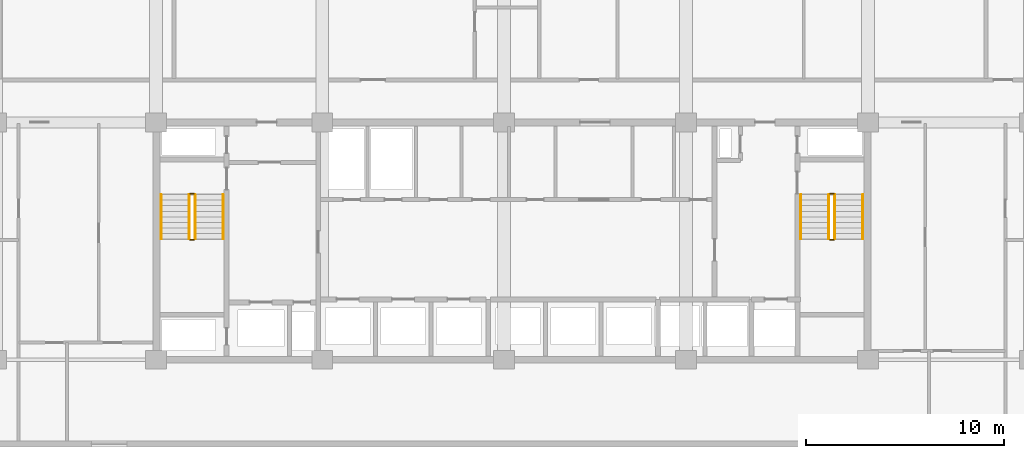
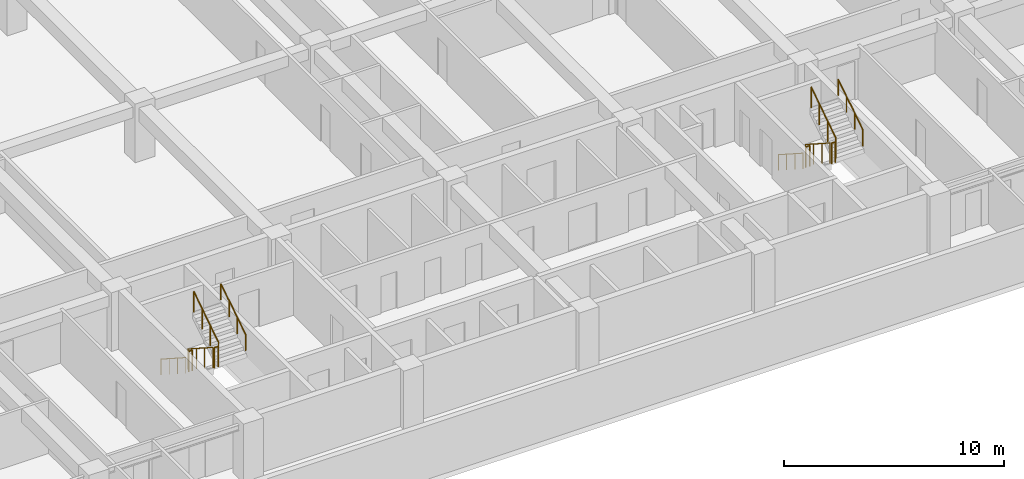
# One storey, part 22 of 23: 12 railings.
"""IFC4 building model written with IfcOpenShell, lengths in metres."""

from ifc_helpers import new_model, si_unit, direction, frame, origin, origin_2d, place, context, subcontext, project, spatial, circle, extrude, material, type_object, element, save


model = new_model("IFC4")

# Units and contexts
model_context = context("Model", 3, precision=1e-05, world=origin(), true_north=direction((0.0, 1.0)))
body_context = subcontext(model_context, "Body", "Model", "MODEL_VIEW")
ifc_project = project(units=[si_unit("LENGTHUNIT", "METRE"), si_unit("AREAUNIT", "SQUARE_METRE"), si_unit("VOLUMEUNIT", "CUBIC_METRE"), si_unit("PLANEANGLEUNIT", "RADIAN"), si_unit("MASSUNIT", "GRAM", prefix="KILO")], contexts=[model_context])

# Site, building, storey
site_placement = place(None, origin())
site = spatial("IfcSite", under=ifc_project, at=site_placement, CompositionType="ELEMENT")
building_placement = place(site_placement, origin())
building = spatial("IfcBuilding", under=site, at=building_placement, Name="Korimba Cascade Residences", CompositionType="ELEMENT")
storey_placement = place(building_placement, frame((0.0, 0.0, 59.75)))
storey = spatial("IfcBuildingStorey", under=building, at=storey_placement, Name="L16", CompositionType="ELEMENT", Elevation=59.75)

# Railings
ifc_material_1 = material(Name="Painted Steel Stairwell Guardrail", Category="steel")
railing_type_1 = type_object("IfcRailingType", Name="RLG-ST-GD1150", PredefinedType="GUARDRAIL", material=ifc_material_1)
railing_1_placement = place(storey_placement, frame((77.77001953125, 63.550048828125, 0.1806640625)))
element("IfcRailing", 1, at=railing_1_placement, inside=storey, type_object=railing_type_1, Name="L16 ST-W1 stair guard 1", PredefinedType="GUARDRAIL", context=body_context, shape_type="SweptSolid", body=[
    extrude(circle(Radius=0.02392578125, at=origin_2d()), frame((0.0, 0.0, 1.1259765625), z_axis=(0.0, -0.840436612492, 0.541909863706), x_axis=(1.0, 0.0, 0.0)), (0.0, 0.0, 1.0), 2.665283203125),
    extrude(circle(Radius=0.02099609375, at=origin_2d()), origin(), (0.0, 0.0, 1.0), 1.101806640625),
    extrude(circle(Radius=0.02099609375, at=origin_2d()), frame((0.0, -0.74658203125, 0.4814453125)), (0.0, 0.0, 1.0), 1.101806640625),
    extrude(circle(Radius=0.02099609375, at=origin_2d()), frame((0.0, -1.493408203125, 0.962890625)), (0.0, 0.0, 1.0), 1.101806640625),
    extrude(circle(Radius=0.02099609375, at=origin_2d()), frame((0.0, -2.239990234375, 1.4443359375)), (0.0, 0.0, 1.0), 1.101806640625),
])
railing_2_placement = place(storey_placement, frame((77.820068359375, 61.260009765625, 1.625)))
element("IfcRailing", 2, at=railing_2_placement, inside=storey, type_object=railing_type_1, Name="L16 ST-W1 stair guard 2", PredefinedType="GUARDRAIL", context=body_context, shape_type="SweptSolid", body=[
    extrude(circle(Radius=0.02392578125, at=origin_2d()), frame((0.0, 0.0, 1.1259765625), z_axis=(1.0, 0.0, 0.0), x_axis=(0.0, 1.0, 0.0)), (0.0, 0.0, 1.0), 0.199951171875),
    extrude(circle(Radius=0.02099609375, at=origin_2d()), origin(), (0.0, 0.0, 1.0), 1.101806640625),
    extrude(circle(Radius=0.02099609375, at=origin_2d()), frame((0.199951171875, 0.0, 0.0)), (0.0, 0.0, 1.0), 1.101806640625),
])
railing_3_placement = place(storey_placement, frame((78.070068359375, 61.31005859375, 1.8056640625)))
element("IfcRailing", 3, at=railing_3_placement, inside=storey, type_object=railing_type_1, Name="L16 ST-W1 stair guard 3", PredefinedType="GUARDRAIL", context=body_context, shape_type="SweptSolid", body=[
    extrude(circle(Radius=0.02392578125, at=origin_2d()), frame((0.0, 0.0, 1.1259765625), z_axis=(0.0, 0.840436612492, 0.541909863706), x_axis=(-1.0, 0.0, 0.0)), (0.0, 0.0, 1.0), 2.665283203125),
    extrude(circle(Radius=0.02099609375, at=origin_2d()), origin(), (0.0, 0.0, 1.0), 1.101806640625),
    extrude(circle(Radius=0.02099609375, at=origin_2d()), frame((0.0, 0.74658203125, 0.4814453125)), (0.0, 0.0, 1.0), 1.101806640625),
    extrude(circle(Radius=0.02099609375, at=origin_2d()), frame((0.0, 1.493408203125, 0.962890625)), (0.0, 0.0, 1.0), 1.101806640625),
    extrude(circle(Radius=0.02099609375, at=origin_2d()), frame((0.0, 2.239990234375, 1.4443359375)), (0.0, 0.0, 1.0), 1.101806640625),
])
railing_4_placement = place(storey_placement, frame((77.820068359375, 63.60009765625, 0.0)))
element("IfcRailing", 4, at=railing_4_placement, inside=storey, type_object=railing_type_1, Name="L16 ST-W1 stair guard 4", PredefinedType="GUARDRAIL", context=body_context, shape_type="SweptSolid", body=[
    extrude(circle(Radius=0.02392578125, at=origin_2d()), frame((0.0, 0.0, 1.1259765625), z_axis=(1.0, 0.0, 0.0), x_axis=(0.0, 1.0, 0.0)), (0.0, 0.0, 1.0), 0.199951171875),
    extrude(circle(Radius=0.02099609375, at=origin_2d()), origin(), (0.0, 0.0, 1.0), 1.101806640625),
    extrude(circle(Radius=0.02099609375, at=origin_2d()), frame((0.199951171875, 0.0, 0.0)), (0.0, 0.0, 1.0), 1.101806640625),
])
railing_5_placement = place(storey_placement, frame((110.1298828125, 63.550048828125, 0.1806640625)))
element("IfcRailing", 5, at=railing_5_placement, inside=storey, type_object=railing_type_1, Name="L16 ST-W2 stair guard 1", PredefinedType="GUARDRAIL", context=body_context, shape_type="SweptSolid", body=[
    extrude(circle(Radius=0.02392578125, at=origin_2d()), frame((0.0, 0.0, 1.1259765625), z_axis=(0.0, -0.840436612492, 0.541909863706), x_axis=(1.0, 0.0, 0.0)), (0.0, 0.0, 1.0), 2.665283203125),
    extrude(circle(Radius=0.02099609375, at=origin_2d()), origin(), (0.0, 0.0, 1.0), 1.101806640625),
    extrude(circle(Radius=0.02099609375, at=origin_2d()), frame((0.0, -0.74658203125, 0.4814453125)), (0.0, 0.0, 1.0), 1.101806640625),
    extrude(circle(Radius=0.02099609375, at=origin_2d()), frame((0.0, -1.493408203125, 0.962890625)), (0.0, 0.0, 1.0), 1.101806640625),
    extrude(circle(Radius=0.02099609375, at=origin_2d()), frame((0.0, -2.239990234375, 1.4443359375)), (0.0, 0.0, 1.0), 1.101806640625),
])
railing_6_placement = place(storey_placement, frame((110.179931640625, 61.260009765625, 1.625)))
element("IfcRailing", 6, at=railing_6_placement, inside=storey, type_object=railing_type_1, Name="L16 ST-W2 stair guard 2", PredefinedType="GUARDRAIL", context=body_context, shape_type="SweptSolid", body=[
    extrude(circle(Radius=0.02392578125, at=origin_2d()), frame((0.0, 0.0, 1.1259765625), z_axis=(1.0, 0.0, 0.0), x_axis=(0.0, 1.0, 0.0)), (0.0, 0.0, 1.0), 0.199951171875),
    extrude(circle(Radius=0.02099609375, at=origin_2d()), origin(), (0.0, 0.0, 1.0), 1.101806640625),
    extrude(circle(Radius=0.02099609375, at=origin_2d()), frame((0.199951171875, 0.0, 0.0)), (0.0, 0.0, 1.0), 1.101806640625),
])
railing_7_placement = place(storey_placement, frame((110.429931640625, 61.31005859375, 1.8056640625)))
element("IfcRailing", 7, at=railing_7_placement, inside=storey, type_object=railing_type_1, Name="L16 ST-W2 stair guard 3", PredefinedType="GUARDRAIL", context=body_context, shape_type="SweptSolid", body=[
    extrude(circle(Radius=0.02392578125, at=origin_2d()), frame((0.0, 0.0, 1.1259765625), z_axis=(0.0, 0.840436612492, 0.541909863706), x_axis=(-1.0, 0.0, 0.0)), (0.0, 0.0, 1.0), 2.665283203125),
    extrude(circle(Radius=0.02099609375, at=origin_2d()), origin(), (0.0, 0.0, 1.0), 1.101806640625),
    extrude(circle(Radius=0.02099609375, at=origin_2d()), frame((0.0, 0.74658203125, 0.4814453125)), (0.0, 0.0, 1.0), 1.101806640625),
    extrude(circle(Radius=0.02099609375, at=origin_2d()), frame((0.0, 1.493408203125, 0.962890625)), (0.0, 0.0, 1.0), 1.101806640625),
    extrude(circle(Radius=0.02099609375, at=origin_2d()), frame((0.0, 2.239990234375, 1.4443359375)), (0.0, 0.0, 1.0), 1.101806640625),
])
railing_8_placement = place(storey_placement, frame((110.179931640625, 63.60009765625, 0.0)))
element("IfcRailing", 8, at=railing_8_placement, inside=storey, type_object=railing_type_1, Name="L16 ST-W2 stair guard 4", PredefinedType="GUARDRAIL", context=body_context, shape_type="SweptSolid", body=[
    extrude(circle(Radius=0.02392578125, at=origin_2d()), frame((0.0, 0.0, 1.1259765625), z_axis=(1.0, 0.0, 0.0), x_axis=(0.0, 1.0, 0.0)), (0.0, 0.0, 1.0), 0.199951171875),
    extrude(circle(Radius=0.02099609375, at=origin_2d()), origin(), (0.0, 0.0, 1.0), 1.101806640625),
    extrude(circle(Radius=0.02099609375, at=origin_2d()), frame((0.199951171875, 0.0, 0.0)), (0.0, 0.0, 1.0), 1.101806640625),
])
ifc_material_2 = material(Name="Brushed Stainless Steel Handrail", Category="steel")
railing_type_2 = type_object("IfcRailingType", Name="RLG-ST-HR900", PredefinedType="HANDRAIL", material=ifc_material_2)
railing_9_placement = place(storey_placement, frame((76.35009765625, 63.550048828125, 0.364990234375)))
element("IfcRailing", 9, at=railing_9_placement, inside=storey, type_object=railing_type_2, Name="L16 ST-W1 stair handrail 1", PredefinedType="HANDRAIL", context=body_context, shape_type="SweptSolid", body=[
    extrude(circle(Radius=0.02392578125, at=origin_2d()), frame((0.0, 0.0, 0.8759765625), z_axis=(0.0, -0.840436612492, 0.541909863706), x_axis=(1.0, 0.0, 0.0)), (0.0, 0.0, 1.0), 2.665283203125),
    extrude(circle(Radius=0.02099609375, at=origin_2d()), origin(), (0.0, 0.0, 1.0), 0.851806640625),
    extrude(circle(Radius=0.02099609375, at=origin_2d()), frame((0.0, -0.74658203125, 0.4814453125)), (0.0, 0.0, 1.0), 0.851806640625),
    extrude(circle(Radius=0.02099609375, at=origin_2d()), frame((0.0, -1.493408203125, 0.962890625)), (0.0, 0.0, 1.0), 0.851806640625),
    extrude(circle(Radius=0.02099609375, at=origin_2d()), frame((0.0, -2.239990234375, 1.4443359375)), (0.0, 0.0, 1.0), 0.851806640625),
])
railing_10_placement = place(storey_placement, frame((79.489990234375, 61.31005859375, 1.989990234375)))
element("IfcRailing", 10, at=railing_10_placement, inside=storey, type_object=railing_type_2, Name="L16 ST-W1 stair handrail 2", PredefinedType="HANDRAIL", context=body_context, shape_type="SweptSolid", body=[
    extrude(circle(Radius=0.02392578125, at=origin_2d()), frame((0.0, 0.0, 0.8759765625), z_axis=(0.0, 0.840436612492, 0.541909863706), x_axis=(-1.0, 0.0, 0.0)), (0.0, 0.0, 1.0), 2.665283203125),
    extrude(circle(Radius=0.02099609375, at=origin_2d()), origin(), (0.0, 0.0, 1.0), 0.851806640625),
    extrude(circle(Radius=0.02099609375, at=origin_2d()), frame((0.0, 0.74658203125, 0.4814453125)), (0.0, 0.0, 1.0), 0.851806640625),
    extrude(circle(Radius=0.02099609375, at=origin_2d()), frame((0.0, 1.493408203125, 0.962890625)), (0.0, 0.0, 1.0), 0.851806640625),
    extrude(circle(Radius=0.02099609375, at=origin_2d()), frame((0.0, 2.239990234375, 1.4443359375)), (0.0, 0.0, 1.0), 0.851806640625),
])
railing_11_placement = place(storey_placement, frame((108.7099609375, 63.550048828125, 0.364990234375)))
element("IfcRailing", 11, at=railing_11_placement, inside=storey, type_object=railing_type_2, Name="L16 ST-W2 stair handrail 1", PredefinedType="HANDRAIL", context=body_context, shape_type="SweptSolid", body=[
    extrude(circle(Radius=0.02392578125, at=origin_2d()), frame((0.0, 0.0, 0.8759765625), z_axis=(0.0, -0.840436612492, 0.541909863706), x_axis=(1.0, 0.0, 0.0)), (0.0, 0.0, 1.0), 2.665283203125),
    extrude(circle(Radius=0.02099609375, at=origin_2d()), origin(), (0.0, 0.0, 1.0), 0.851806640625),
    extrude(circle(Radius=0.02099609375, at=origin_2d()), frame((0.0, -0.74658203125, 0.4814453125)), (0.0, 0.0, 1.0), 0.851806640625),
    extrude(circle(Radius=0.02099609375, at=origin_2d()), frame((0.0, -1.493408203125, 0.962890625)), (0.0, 0.0, 1.0), 0.851806640625),
    extrude(circle(Radius=0.02099609375, at=origin_2d()), frame((0.0, -2.239990234375, 1.4443359375)), (0.0, 0.0, 1.0), 0.851806640625),
])
railing_12_placement = place(storey_placement, frame((111.85009765625, 61.31005859375, 1.989990234375)))
element("IfcRailing", 12, at=railing_12_placement, inside=storey, type_object=railing_type_2, Name="L16 ST-W2 stair handrail 2", PredefinedType="HANDRAIL", context=body_context, shape_type="SweptSolid", body=[
    extrude(circle(Radius=0.02392578125, at=origin_2d()), frame((0.0, 0.0, 0.8759765625), z_axis=(0.0, 0.840436612492, 0.541909863706), x_axis=(-1.0, 0.0, 0.0)), (0.0, 0.0, 1.0), 2.665283203125),
    extrude(circle(Radius=0.02099609375, at=origin_2d()), origin(), (0.0, 0.0, 1.0), 0.851806640625),
    extrude(circle(Radius=0.02099609375, at=origin_2d()), frame((0.0, 0.74658203125, 0.4814453125)), (0.0, 0.0, 1.0), 0.851806640625),
    extrude(circle(Radius=0.02099609375, at=origin_2d()), frame((0.0, 1.493408203125, 0.962890625)), (0.0, 0.0, 1.0), 0.851806640625),
    extrude(circle(Radius=0.02099609375, at=origin_2d()), frame((0.0, 2.239990234375, 1.4443359375)), (0.0, 0.0, 1.0), 0.851806640625),
])

save(model, "model.ifc")
